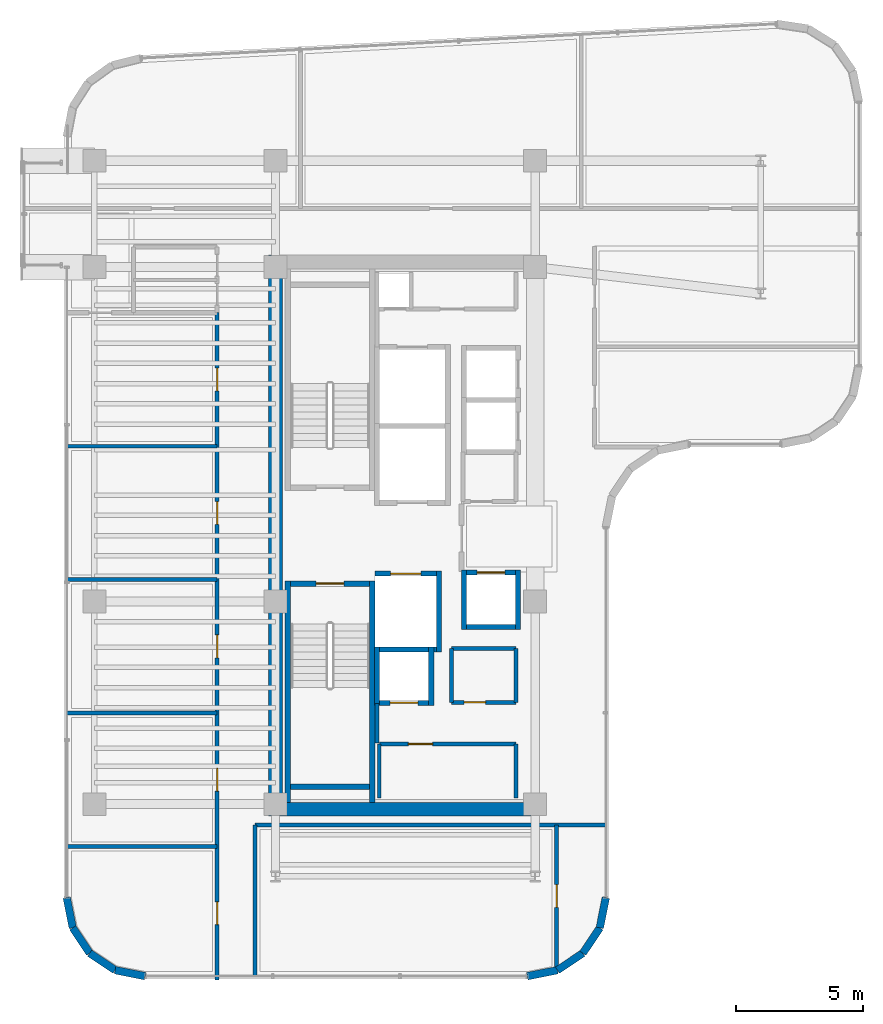
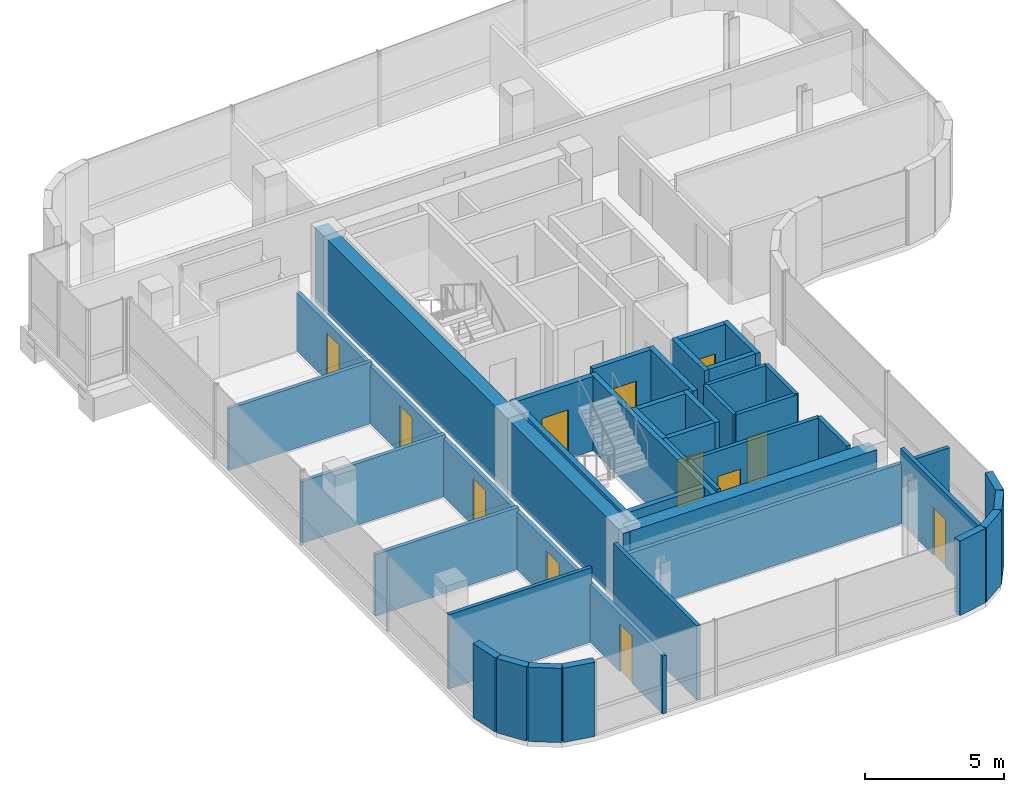
# One storey, part 17 of 21: 40 walls, 12 doors, 12 openings.
"""IFC4 building model written with IfcOpenShell, lengths in metres."""

import ifcopenshell
import ifcopenshell.guid

model = None  # the IFC model being written
_history = None  # IfcOwnerHistory: only IFC2X3 demands one
_inside = {}  # id of a spatial element -> (the spatial element, [elements in it])
_under = {}  # id of a project, library or spatial element -> (it, [spatial elements below it])
_declared = {}  # id of a project -> (the project, [libraries it declares])
_typed = {}  # id of a type object -> (the type object, [elements of that type])
_made_of = {}  # id of a material, layer set ... -> (it, [elements and type objects made of it])


def new_model(schema):
    """Start an empty IFC model of exactly this schema.

    Asked for "IFC4X3", IfcOpenShell would pick the latest addendum, in which some entities
    have other attributes; the version numbers below select the first issue.
    IFC2X3 requires an IfcOwnerHistory on every rooted entity: one is made here for all.
    """
    global model, _history
    if schema == "IFC4X3":
        model = ifcopenshell.file(schema_version=(4, 3, 0, 0))
    else:
        model = ifcopenshell.file(schema=schema)
    _inside.clear()
    _under.clear()
    _declared.clear()
    _typed.clear()
    _made_of.clear()
    _history = None
    if model.schema == "IFC2X3":
        org = make("IfcOrganization", Name="unknown")
        user = make(
            "IfcPersonAndOrganization",
            ThePerson=make("IfcPerson", FamilyName="unknown"),
            TheOrganization=org,
        )
        app = make(
            "IfcApplication",
            ApplicationDeveloper=org,
            Version="unknown",
            ApplicationFullName="unknown",
            ApplicationIdentifier="unknown",
        )
        _history = make(
            "IfcOwnerHistory",
            OwningUser=user,
            OwningApplication=app,
            ChangeAction="ADDED",
            CreationDate=0,
        )
    return model


def make(cls, **values):
    """One entity of the class cls with the attributes given. An attribute that is None is left unset."""
    return model.create_entity(
        cls, **{name: value for name, value in values.items() if value is not None}
    )


def rooted(cls, **values):
    """An entity with a GlobalId (a new one), such as an element, a storey or a relation."""
    return make(cls, GlobalId=ifcopenshell.guid.new(), OwnerHistory=_history, **values)


def si_unit(unit_type, name, prefix=None):
    """IfcSIUnit, for example si_unit("LENGTHUNIT", "METRE", prefix="MILLI")."""
    return make("IfcSIUnit", UnitType=unit_type, Prefix=prefix, Name=name)


def assignment(units):
    """IfcUnitAssignment: the units of a project."""
    return None if units is None else make("IfcUnitAssignment", Units=units)


def point(xyz):
    """IfcCartesianPoint."""
    return None if xyz is None else make("IfcCartesianPoint", Coordinates=xyz)


def direction(xyz):
    """IfcDirection."""
    return None if xyz is None else make("IfcDirection", DirectionRatios=xyz)


def frame(location, z_axis=None, x_axis=None):
    """IfcAxis2Placement3D, a coordinate frame: its origin and axes. An axis left out is left unset."""
    return make(
        "IfcAxis2Placement3D",
        Location=point(location),
        Axis=direction(z_axis),
        RefDirection=direction(x_axis),
    )


def frame_2d(location, x_axis=None):
    """IfcAxis2Placement2D, a coordinate frame in the plane: its origin and x axis."""
    return make(
        "IfcAxis2Placement2D", Location=point(location), RefDirection=direction(x_axis)
    )


def origin():
    """The frame at (0, 0, 0) with its axes left unset."""
    return frame((0.0, 0.0, 0.0))


def place(relative_to, where):
    """IfcLocalPlacement: puts the frame where relative to a parent placement (None: the world)."""
    return make(
        "IfcLocalPlacement", PlacementRelTo=relative_to, RelativePlacement=where
    )


def context(
    kind, dimensions, precision=None, world=None, true_north=None, identifier=None
):
    """IfcGeometricRepresentationContext, for example the 3D "Model" context."""
    return make(
        "IfcGeometricRepresentationContext",
        ContextIdentifier=identifier,
        ContextType=kind,
        CoordinateSpaceDimension=dimensions,
        Precision=precision,
        WorldCoordinateSystem=world,
        TrueNorth=true_north,
    )


def subcontext(parent, identifier, kind, view, scale=None):
    """IfcGeometricRepresentationSubContext, for example "Body" below "Model"."""
    return make(
        "IfcGeometricRepresentationSubContext",
        ContextIdentifier=identifier,
        ContextType=kind,
        ParentContext=parent,
        TargetScale=scale,
        TargetView=view,
    )


def project(units=None, contexts=None):
    """IfcProject with its units and contexts."""
    return rooted(
        "IfcProject",
        Name="project",
        RepresentationContexts=contexts,
        UnitsInContext=assignment(units),
    )


def spatial(cls, under=None, at=None, **own):
    """A site, building, storey or space (cls), placed at a placement, below another one or the project."""
    s = rooted(cls, ObjectPlacement=at, **own)
    if under is not None:
        _under.setdefault(under.id(), (under, []))[1].append(s)
    return s


def profile(cls, at=None, kind="AREA", **sizes):
    """A parametric profile (cls). Its sizes go by their IFC names, for example OverallWidth=200.0."""
    return make(cls, ProfileType=kind, Position=at, **sizes)


def rectangle(**sizes):
    """IfcRectangleProfileDef."""
    return profile("IfcRectangleProfileDef", **sizes)


def extrude(swept, where, along, depth):
    """IfcExtrudedAreaSolid: the profile swept, set in the frame where, extruded along a direction by depth."""
    return make(
        "IfcExtrudedAreaSolid",
        SweptArea=swept,
        Position=where,
        ExtrudedDirection=direction(along),
        Depth=depth,
    )


def shape(context_of_items, identifier, shape_type, items):
    """IfcShapeRepresentation: the items that make up one representation, for example the "Body"."""
    return make(
        "IfcShapeRepresentation",
        ContextOfItems=context_of_items,
        RepresentationIdentifier=identifier,
        RepresentationType=shape_type,
        Items=items,
    )


def material(Name=None, Category=None):
    """IfcMaterial."""
    return make("IfcMaterial", Name=Name, Category=Category)


def layer(
    of_material, thickness, ventilated=None, Name=None, Category=None, Priority=None
):
    """IfcMaterialLayer: one layer of a wall or slab, of a material (None: an air gap)."""
    return make(
        "IfcMaterialLayer",
        Material=of_material,
        LayerThickness=thickness,
        IsVentilated=ventilated,
        Name=Name,
        Category=Category,
        Priority=Priority,
    )


def layer_set(layers, Name=None):
    """IfcMaterialLayerSet."""
    return make("IfcMaterialLayerSet", MaterialLayers=layers, LayerSetName=Name)


def made_of(thing, what):
    """Note that an element or type object is made of a material, layer set ...; save() writes the relation."""
    if what is not None:
        _made_of.setdefault(what.id(), (what, []))[1].append(thing)
    return thing


def type_object(cls, material=None, **own):
    """A type object (cls), such as IfcWallType, which elements share."""
    return made_of(rooted(cls, **own), material)


def element(
    cls,
    number,
    at=None,
    inside=None,
    cuts=None,
    type_object=None,
    material=None,
    context=None,
    identifier="Body",
    shape_type=None,
    held_by="IfcProductDefinitionShape",
    body=None,
    shapes=None,
    **own,
):
    """One element of the class cls, such as IfcWall. Its Tag is "e" and its number.

    at: its placement. inside: the storey or other place that contains it. cuts: it is an
    opening in that element (IfcRelVoidsElement). A single representation is given by context,
    identifier, shape_type and body (its items); several are given by shapes. held_by: the class
    of the entity that holds the representations. save() writes the other relations.
    """
    e = rooted(cls, Tag="e%d" % number, ObjectPlacement=at, **own)
    if body is not None:
        shapes = [shape(context, identifier, shape_type, body)]
    if shapes is not None:
        e.Representation = make(held_by, Representations=shapes)
    if inside is not None:
        _inside.setdefault(inside.id(), (inside, []))[1].append(e)
    if cuts is not None:
        rooted(
            "IfcRelVoidsElement", RelatingBuildingElement=cuts, RelatedOpeningElement=e
        )
    if type_object is not None:
        _typed.setdefault(type_object.id(), (type_object, []))[1].append(e)
    return made_of(e, material)


def fill(opening, filler):
    """IfcRelFillsElement: the door or window that sits in an opening."""
    return rooted(
        "IfcRelFillsElement",
        RelatingOpeningElement=opening,
        RelatedBuildingElement=filler,
    )


def aggregate(whole, parts):
    """IfcRelAggregates: a whole, such as a stair, and the parts it consists of."""
    return rooted("IfcRelAggregates", RelatingObject=whole, RelatedObjects=parts)


def save(model, path):
    """Write the relations noted so far, then the file.

    IfcRelAggregates (storeys below a building ...), IfcRelContainedInSpatialStructure (elements
    in a storey), IfcRelDefinesByType, IfcRelAssociatesMaterial and IfcRelDeclares: one each for
    every whole, place, type object, material and project.
    """
    for whole, parts in _under.values():
        aggregate(whole, parts)
    for where, things in _inside.values():
        rooted(
            "IfcRelContainedInSpatialStructure",
            RelatedElements=things,
            RelatingStructure=where,
        )
    for kind, things in _typed.values():
        rooted("IfcRelDefinesByType", RelatedObjects=things, RelatingType=kind)
    for what, things in _made_of.values():
        rooted("IfcRelAssociatesMaterial", RelatedObjects=things, RelatingMaterial=what)
    for by, libraries in _declared.values():
        rooted("IfcRelDeclares", RelatingContext=by, RelatedDefinitions=libraries)
    model.write(path)


model = new_model("IFC4")

# Units and contexts
model_context = context("Model", 3, precision=1e-05, world=origin(), true_north=direction((0.0, 1.0)))
body_context = subcontext(model_context, "Body", "Model", "MODEL_VIEW")
ifc_project = project(units=[si_unit("LENGTHUNIT", "METRE"), si_unit("AREAUNIT", "SQUARE_METRE"), si_unit("VOLUMEUNIT", "CUBIC_METRE"), si_unit("PLANEANGLEUNIT", "RADIAN"), si_unit("MASSUNIT", "GRAM", prefix="KILO")], contexts=[model_context])

# Site, building, storey
site_placement = place(None, origin())
site = spatial("IfcSite", under=ifc_project, at=site_placement, CompositionType="ELEMENT")
building_placement = place(site_placement, origin())
building = spatial("IfcBuilding", under=site, at=building_placement, Name="Valdorenza Pilgrim Sanctuary Tower", CompositionType="ELEMENT")
storey_placement = place(building_placement, frame((0.0, 0.0, 219.5)))
storey = spatial("IfcBuildingStorey", under=building, at=storey_placement, Name="L56", CompositionType="ELEMENT", Elevation=219.5)

# Wall
ifc_material_1 = material(Name="Acoustic twin-stud gypsum partition", Category="gypsum")
ifc_layer_1 = layer(ifc_material_1, 0.159912109375, Name="Acoustic twin-stud gypsum partition")
ifc_layer_set_1 = layer_set([ifc_layer_1], Name="Acoustic twin-stud gypsum partition")
wall_type_1 = type_object("IfcWallType", Name="WAL-COR-160", PredefinedType="PARTITIONING", material=ifc_layer_set_1)
wall_1_placement = place(storey_placement, frame((-18.64990234375, -8.179931640625, 0.0), z_axis=(0.0, 0.0, 1.0), x_axis=(0.0, 1.0, 0.0)))
element("IfcWall", 1, at=wall_1_placement, inside=storey, type_object=wall_type_1, Name="L56 Core A South Lift Hall West Wall", PredefinedType="PARTITIONING", context=body_context, shape_type="SweptSolid", body=[
    extrude(rectangle(XDim=1.559814453125, YDim=0.159912109375, at=frame_2d((0.77978515625, 0.0))), origin(), (0.0, 0.0, 1.0), 3.260009765625),
])

# Wall, opening, door
wall_2_placement = place(storey_placement, frame((-18.550048828125, -8.219970703125, 0.0), z_axis=(0.0, 0.0, 1.0), x_axis=(1.0, 0.0, 0.0)))
wall_2 = element("IfcWall", 2, at=wall_2_placement, inside=storey, type_object=wall_type_1, Name="L56 Freed Shaft 1 North Wall", PredefinedType="PARTITIONING", context=body_context, shape_type="SweptSolid", body=[
    extrude(rectangle(XDim=5.400146484375, YDim=0.159912109375, at=frame_2d((2.7001953125, 0.0))), origin(), (0.0, 0.0, 1.0), 3.260009765625),
])
opening_1_placement = place(wall_2_placement, frame((1.14990234375, 0.0, 0.0)))
opening_1 = element("IfcOpeningElement", 3, at=opening_1_placement, cuts=wall_2, Name="Opening DR-UN1", PredefinedType="OPENING", context=body_context, shape_type="SweptSolid", body=[
    extrude(rectangle(XDim=0.949951171875, YDim=2.14990234375, at=frame_2d((0.47509765625, 1.074951171875))), frame((0.0, 0.0947265625, 0.0), z_axis=(0.0, -1.0, 0.0), x_axis=(1.0, 0.0, 0.0)), (0.0, 0.0, 1.0), 0.189697265625),
])
ifc_material_2 = material(Name="Solid-core European oak timber", Category="wood")
door_type_1 = type_object("IfcDoorType", Name="DR-UNIT-950", OperationType="NOTDEFINED", PredefinedType="DOOR", material=ifc_material_2)
door_1_placement = place(opening_1_placement, origin())
door_1 = element("IfcDoor", 4, at=door_1_placement, inside=storey, type_object=door_type_1, Name="L56 Back-of-House Linen Store Door", OperationType="SINGLE_SWING_LEFT", OverallHeight=2.14990234375, OverallWidth=0.949951171875, PredefinedType="DOOR", context=body_context, shape_type="SweptSolid", body=[
    extrude(rectangle(XDim=0.949951171875, YDim=2.14990234375, at=frame_2d((0.47509765625, 1.074951171875))), frame((0.0, 0.02490234375, 0.0), z_axis=(0.0, -1.0, 0.0), x_axis=(1.0, 0.0, 0.0)), (0.0, 0.0, 1.0), 0.050048828125),
])
fill(opening_1, door_1)

# Wall
wall_3_placement = place(storey_placement, frame((-13.14990234375, -10.35009765625, 0.0), z_axis=(0.0, 0.0, 1.0), x_axis=(0.0, 1.0, 0.0)))
element("IfcWall", 5, at=wall_3_placement, inside=storey, type_object=wall_type_1, Name="L56 Freed Shaft 1 East Wall", PredefinedType="PARTITIONING", context=body_context, shape_type="SweptSolid", body=[
    extrude(rectangle(XDim=2.130126953125, YDim=0.159912109375, at=frame_2d((1.06494140625, 0.0))), origin(), (0.0, 0.0, 1.0), 3.260009765625),
])

# Wall, opening, door
wall_4_placement = place(storey_placement, frame((-15.699951171875, -6.580078125, 0.0), z_axis=(0.0, 0.0, 1.0), x_axis=(1.0, 0.0, 0.0)))
wall_4 = element("IfcWall", 6, at=wall_4_placement, inside=storey, type_object=wall_type_1, Name="L56 Freed Shaft 2 South Wall", PredefinedType="PARTITIONING", context=body_context, shape_type="SweptSolid", body=[
    extrude(rectangle(XDim=2.550048828125, YDim=0.159912109375, at=frame_2d((1.27490234375, 0.0))), origin(), (0.0, 0.0, 1.0), 3.260009765625),
])
opening_2_placement = place(wall_4_placement, frame((0.5, 0.0, 0.0)))
opening_2 = element("IfcOpeningElement", 7, at=opening_2_placement, cuts=wall_4, Name="Opening DR-RS1", PredefinedType="OPENING", context=body_context, shape_type="SweptSolid", body=[
    extrude(rectangle(XDim=0.85009765625, YDim=2.050048828125, at=frame_2d((0.425048828125, 1.02490234375))), frame((0.0, 0.0947265625, 0.0), z_axis=(0.0, -1.0, 0.0), x_axis=(1.0, 0.0, 0.0)), (0.0, 0.0, 1.0), 0.189697265625),
])
ifc_material_3 = material(Name="Painted galvanized steel", Category="steel")
door_type_2 = type_object("IfcDoorType", Name="DR-RSR-850", OperationType="NOTDEFINED", PredefinedType="DOOR", material=ifc_material_3)
door_2_placement = place(opening_2_placement, origin())
door_2 = element("IfcDoor", 8, at=door_2_placement, inside=storey, type_object=door_type_2, Name="L56 Guest Tea Pantry Door", OperationType="SINGLE_SWING_RIGHT", OverallHeight=2.050048828125, OverallWidth=0.85009765625, PredefinedType="DOOR", context=body_context, shape_type="SweptSolid", body=[
    extrude(rectangle(XDim=0.85009765625, YDim=2.050048828125, at=frame_2d((0.425048828125, 1.02490234375))), frame((0.0, 0.02490234375, 0.0), z_axis=(0.0, -1.0, 0.0), x_axis=(1.0, 0.0, 0.0)), (0.0, 0.0, 1.0), 0.050048828125),
])
fill(opening_2, door_2)

# Walls
wall_5_placement = place(storey_placement, frame((-13.14990234375, -6.580078125, 0.0), z_axis=(0.0, 0.0, 1.0), x_axis=(0.0, 1.0, 0.0)))
element("IfcWall", 9, at=wall_5_placement, inside=storey, type_object=wall_type_1, Name="L56 Freed Shaft 2 East Wall", PredefinedType="PARTITIONING", context=body_context, shape_type="SweptSolid", body=[
    extrude(rectangle(XDim=2.130126953125, YDim=0.159912109375, at=frame_2d((1.06494140625, 0.0))), origin(), (0.0, 0.0, 1.0), 3.260009765625),
])
wall_6_placement = place(storey_placement, frame((-23.449951171875, -11.419921875, 0.0), z_axis=(0.0, 0.0, 1.0), x_axis=(1.0, 0.0, 0.0)))
element("IfcWall", 10, at=wall_6_placement, inside=storey, type_object=wall_type_1, Name="L56 South-East Pocket North Wall", PredefinedType="PARTITIONING", context=body_context, shape_type="SweptSolid", body=[
    extrude(rectangle(XDim=13.83984375, YDim=0.159912109375, at=frame_2d((6.919921875, 0.0))), origin(), (0.0, 0.0, 1.0), 2.634033203125),
])
wall_7_placement = place(storey_placement, frame((-23.449951171875, -17.389892578125, 0.0), z_axis=(0.0, 0.0, 1.0), x_axis=(0.0, 1.0, 0.0)))
element("IfcWall", 11, at=wall_7_placement, inside=storey, type_object=wall_type_1, Name="L56 South-East Pocket West Wall", PredefinedType="PARTITIONING", context=body_context, shape_type="SweptSolid", body=[
    extrude(rectangle(XDim=5.969970703125, YDim=0.159912109375, at=frame_2d((2.98486328125, 0.0))), origin(), (0.0, 0.0, 1.0), 3.260009765625),
])

# Wall, openings, doors
wall_8_placement = place(storey_placement, frame((-24.949951171875, -17.5400390625, 0.0), z_axis=(0.0, 0.0, 1.0), x_axis=(0.0, 1.0, 0.0)))
wall_8 = element("IfcWall", 12, at=wall_8_placement, inside=storey, type_object=wall_type_1, Name="L56 West Wing Corridor Wall", PredefinedType="PARTITIONING", context=body_context, shape_type="SweptSolid", body=[
    extrude(rectangle(XDim=26.340087890625, YDim=0.159912109375, at=frame_2d((13.169921875, 0.0))), origin(), (0.0, 0.0, 1.0), 2.5439453125),
])
opening_3_placement = place(wall_8_placement, frame((2.18408203125, 0.0, 0.0)))
opening_3 = element("IfcOpeningElement", 13, at=opening_3_placement, cuts=wall_8, Name="Opening DR-RM1", PredefinedType="OPENING", context=body_context, shape_type="SweptSolid", body=[
    extrude(rectangle(XDim=0.89990234375, YDim=2.10009765625, at=frame_2d((0.449951171875, 1.050048828125))), frame((0.0, 0.0947265625, 0.0), z_axis=(0.0, -1.0, 0.0), x_axis=(1.0, 0.0, 0.0)), (0.0, 0.0, 1.0), 0.189697265625),
])
opening_4_placement = place(wall_8_placement, frame((7.451904296875, 0.0, 0.0)))
opening_4 = element("IfcOpeningElement", 14, at=opening_4_placement, cuts=wall_8, Name="Opening DR-RM1", PredefinedType="OPENING", context=body_context, shape_type="SweptSolid", body=[
    extrude(rectangle(XDim=0.89990234375, YDim=2.10009765625, at=frame_2d((0.449951171875, 1.050048828125))), frame((0.0, 0.0947265625, 0.0), z_axis=(0.0, -1.0, 0.0), x_axis=(1.0, 0.0, 0.0)), (0.0, 0.0, 1.0), 0.189697265625),
])
opening_5_placement = place(wall_8_placement, frame((12.719970703125, 0.0, 0.0)))
opening_5 = element("IfcOpeningElement", 15, at=opening_5_placement, cuts=wall_8, Name="Opening DR-RM1", PredefinedType="OPENING", context=body_context, shape_type="SweptSolid", body=[
    extrude(rectangle(XDim=0.89990234375, YDim=2.10009765625, at=frame_2d((0.449951171875, 1.050048828125))), frame((0.0, 0.0947265625, 0.0), z_axis=(0.0, -1.0, 0.0), x_axis=(1.0, 0.0, 0.0)), (0.0, 0.0, 1.0), 0.189697265625),
])
opening_6_placement = place(wall_8_placement, frame((17.988037109375, 0.0, 0.0)))
opening_6 = element("IfcOpeningElement", 16, at=opening_6_placement, cuts=wall_8, Name="Opening DR-RM1", PredefinedType="OPENING", context=body_context, shape_type="SweptSolid", body=[
    extrude(rectangle(XDim=0.89990234375, YDim=2.10009765625, at=frame_2d((0.449951171875, 1.050048828125))), frame((0.0, 0.0947265625, 0.0), z_axis=(0.0, -1.0, 0.0), x_axis=(1.0, 0.0, 0.0)), (0.0, 0.0, 1.0), 0.189697265625),
])
opening_7_placement = place(wall_8_placement, frame((23.256103515625, 0.0, 0.0)))
opening_7 = element("IfcOpeningElement", 17, at=opening_7_placement, cuts=wall_8, Name="Opening DR-RM1", PredefinedType="OPENING", context=body_context, shape_type="SweptSolid", body=[
    extrude(rectangle(XDim=0.89990234375, YDim=2.10009765625, at=frame_2d((0.449951171875, 1.050048828125))), frame((0.0, 0.0947265625, 0.0), z_axis=(0.0, -1.0, 0.0), x_axis=(1.0, 0.0, 0.0)), (0.0, 0.0, 1.0), 0.189697265625),
])
door_type_3 = type_object("IfcDoorType", Name="DR-ROOM-900", OperationType="NOTDEFINED", PredefinedType="DOOR", material=ifc_material_2)
door_3_placement = place(opening_3_placement, frame((0.89990234375, 0.0, 0.0), z_axis=(0.0, 0.0, 1.0), x_axis=(-1.0, 0.0, 0.0)))
door_3 = element("IfcDoor", 18, at=door_3_placement, inside=storey, type_object=door_type_3, Name="L56 Pilgrim Scholar Office L56-W1 Door", OperationType="SINGLE_SWING_LEFT", OverallHeight=2.10009765625, OverallWidth=0.89990234375, PredefinedType="DOOR", context=body_context, shape_type="SweptSolid", body=[
    extrude(rectangle(XDim=0.89990234375, YDim=2.10009765625, at=frame_2d((0.449951171875, 1.050048828125))), frame((0.0, 0.02490234375, 0.0), z_axis=(0.0, -1.0, 0.0), x_axis=(1.0, 0.0, 0.0)), (0.0, 0.0, 1.0), 0.050048828125),
])
fill(opening_3, door_3)
door_4_placement = place(opening_4_placement, origin())
door_4 = element("IfcDoor", 19, at=door_4_placement, inside=storey, type_object=door_type_3, Name="L56 Pilgrim Scholar Office L56-W2 Door", OperationType="SINGLE_SWING_RIGHT", OverallHeight=2.10009765625, OverallWidth=0.89990234375, PredefinedType="DOOR", context=body_context, shape_type="SweptSolid", body=[
    extrude(rectangle(XDim=0.89990234375, YDim=2.10009765625, at=frame_2d((0.449951171875, 1.050048828125))), frame((0.0, 0.02490234375, 0.0), z_axis=(0.0, -1.0, 0.0), x_axis=(1.0, 0.0, 0.0)), (0.0, 0.0, 1.0), 0.050048828125),
])
fill(opening_4, door_4)
door_5_placement = place(opening_5_placement, frame((0.89990234375, 0.0, 0.0), z_axis=(0.0, 0.0, 1.0), x_axis=(-1.0, 0.0, 0.0)))
door_5 = element("IfcDoor", 20, at=door_5_placement, inside=storey, type_object=door_type_3, Name="L56 Pilgrim Scholar Office L56-W3 Door", OperationType="SINGLE_SWING_LEFT", OverallHeight=2.10009765625, OverallWidth=0.89990234375, PredefinedType="DOOR", context=body_context, shape_type="SweptSolid", body=[
    extrude(rectangle(XDim=0.89990234375, YDim=2.10009765625, at=frame_2d((0.449951171875, 1.050048828125))), frame((0.0, 0.02490234375, 0.0), z_axis=(0.0, -1.0, 0.0), x_axis=(1.0, 0.0, 0.0)), (0.0, 0.0, 1.0), 0.050048828125),
])
fill(opening_5, door_5)
door_6_placement = place(opening_6_placement, origin())
door_6 = element("IfcDoor", 21, at=door_6_placement, inside=storey, type_object=door_type_3, Name="L56 Pilgrim Scholar Office L56-W4 Door", OperationType="SINGLE_SWING_RIGHT", OverallHeight=2.10009765625, OverallWidth=0.89990234375, PredefinedType="DOOR", context=body_context, shape_type="SweptSolid", body=[
    extrude(rectangle(XDim=0.89990234375, YDim=2.10009765625, at=frame_2d((0.449951171875, 1.050048828125))), frame((0.0, 0.02490234375, 0.0), z_axis=(0.0, -1.0, 0.0), x_axis=(1.0, 0.0, 0.0)), (0.0, 0.0, 1.0), 0.050048828125),
])
fill(opening_6, door_6)
door_7_placement = place(opening_7_placement, frame((0.89990234375, 0.0, 0.0), z_axis=(0.0, 0.0, 1.0), x_axis=(-1.0, 0.0, 0.0)))
door_7 = element("IfcDoor", 22, at=door_7_placement, inside=storey, type_object=door_type_3, Name="L56 Pilgrim Scholar Office L56-W5 Door", OperationType="SINGLE_SWING_LEFT", OverallHeight=2.10009765625, OverallWidth=0.89990234375, PredefinedType="DOOR", context=body_context, shape_type="SweptSolid", body=[
    extrude(rectangle(XDim=0.89990234375, YDim=2.10009765625, at=frame_2d((0.449951171875, 1.050048828125))), frame((0.0, 0.02490234375, 0.0), z_axis=(0.0, -1.0, 0.0), x_axis=(1.0, 0.0, 0.0)), (0.0, 0.0, 1.0), 0.050048828125),
])
fill(opening_7, door_7)

# Wall, opening, door
wall_9_placement = place(storey_placement, frame((-11.550048828125, -17.023681640625, 0.0), z_axis=(0.0, 0.0, 1.0), x_axis=(0.0, 1.0, 0.0)))
wall_9 = element("IfcWall", 23, at=wall_9_placement, inside=storey, type_object=wall_type_1, Name="L56 South-East Concourse Wall", PredefinedType="PARTITIONING", context=body_context, shape_type="SweptSolid", body=[
    extrude(rectangle(XDim=5.603759765625, YDim=0.159912109375, at=frame_2d((2.8017578125, 0.0))), origin(), (0.0, 0.0, 1.0), 3.260009765625),
])
opening_8_placement = place(wall_9_placement, frame((2.35205078125, 0.0, 0.0)))
opening_8 = element("IfcOpeningElement", 24, at=opening_8_placement, cuts=wall_9, Name="Opening DR-RM1", PredefinedType="OPENING", context=body_context, shape_type="SweptSolid", body=[
    extrude(rectangle(XDim=0.89990234375, YDim=2.10009765625, at=frame_2d((0.449951171875, 1.050048828125))), frame((0.0, 0.0947265625, 0.0), z_axis=(0.0, -1.0, 0.0), x_axis=(1.0, 0.0, 0.0)), (0.0, 0.0, 1.0), 0.189697265625),
])
door_8_placement = place(opening_8_placement, origin())
door_8 = element("IfcDoor", 25, at=door_8_placement, inside=storey, type_object=door_type_3, Name="L56 South Contemplation Lounge L56 Door", OperationType="SINGLE_SWING_RIGHT", OverallHeight=2.10009765625, OverallWidth=0.89990234375, PredefinedType="DOOR", context=body_context, shape_type="SweptSolid", body=[
    extrude(rectangle(XDim=0.89990234375, YDim=2.10009765625, at=frame_2d((0.449951171875, 1.050048828125))), frame((0.0, 0.02490234375, 0.0), z_axis=(0.0, -1.0, 0.0), x_axis=(1.0, 0.0, 0.0)), (0.0, 0.0, 1.0), 0.050048828125),
])
fill(opening_8, door_8)

# Walls
ifc_material_4 = material(Name="Concrete C50/60", Category="concrete")
ifc_layer_2 = layer(ifc_material_4, 0.550048828125, Name="Concrete C50/60")
ifc_layer_set_2 = layer_set([ifc_layer_2], Name="Concrete C50/60")
wall_type_2 = type_object("IfcWallType", Name="WAL-COR-550", PredefinedType="SHEAR", material=ifc_layer_set_2)
wall_10_placement = place(storey_placement, frame((-22.64990234375, -11.074951171875, 0.0), z_axis=(0.0, 0.0, 1.0), x_axis=(0.0, 1.0, 0.0)))
element("IfcWall", 26, at=wall_10_placement, inside=storey, type_object=wall_type_2, Name="L56 Split Core A Shear Wall W", PredefinedType="SHEAR", context=body_context, shape_type="SweptSolid", body=[
    extrude(rectangle(XDim=22.14990234375, YDim=0.550048828125, at=frame_2d((11.074951171875, 0.0))), origin(), (0.0, 0.0, 1.0), 3.260009765625),
])
wall_11_placement = place(storey_placement, frame((-22.64990234375, -10.800048828125, 0.0), z_axis=(0.0, 0.0, 1.0), x_axis=(1.0, 0.0, 0.0)))
element("IfcWall", 27, at=wall_11_placement, inside=storey, type_object=wall_type_2, Name="L56 Split Core A Shear Wall S", PredefinedType="SHEAR", context=body_context, shape_type="SweptSolid", body=[
    extrude(rectangle(XDim=10.25, YDim=0.550048828125, at=frame_2d((5.125, 0.0))), origin(), (0.0, 0.0, 1.0), 3.260009765625),
])
ifc_material_5 = material(Name="Honed travertine limestone", Category="masonry")
ifc_layer_3 = layer(ifc_material_5, 0.300048828125, Name="Honed travertine limestone")
ifc_layer_set_3 = layer_set([ifc_layer_3], Name="Honed travertine limestone")
wall_type_3 = type_object("IfcWallType", Name="WAL-EXT-300", PredefinedType="SOLIDWALL", material=ifc_layer_set_3)
wall_12_placement = place(storey_placement, frame((-9.610107421875, -14.289306640625, 0.0), z_axis=(0.0, 0.0, 1.0), x_axis=(-0.194996050505, -0.980804027463, 0.0)))
element("IfcWall", 28, at=wall_12_placement, inside=storey, type_object=wall_type_3, Name="L56 Rounded Wind-Corner Stone Pier 22", PredefinedType="SOLIDWALL", context=body_context, shape_type="SweptSolid", body=[
    extrude(rectangle(XDim=1.2158203125, YDim=0.300048828125, at=frame_2d((0.60791015625, 0.0))), origin(), (0.0, 0.0, 1.0), 3.260009765625),
])
for number, where, z_axis, x_axis, name in (
    (29, (-9.84716796875, -15.481689453125, 0.0), (0.0, 0.0, 1.0), (-0.555635100982, -0.831426265255, 0.0), "L56 Rounded Wind-Corner Stone Pier 23"),
    (30, (-10.5166015625, -16.4833984375, 0.0), (0.0, 0.0, 1.0), (-0.831426265255, -0.555635100982, 0.0), "L56 Rounded Wind-Corner Stone Pier 24"),
):
    element("IfcWall", number, at=place(storey_placement, frame(where, z_axis=z_axis, x_axis=x_axis)), inside=storey, type_object=wall_type_3, Name=name, PredefinedType="SOLIDWALL", context=body_context, shape_type="SweptSolid", body=[
        extrude(rectangle(XDim=1.204833984375, YDim=0.300048828125, at=frame_2d((0.6025390625, 0.0))), origin(), (0.0, 0.0, 1.0), 3.260009765625),
    ])
for number, where, z_axis, x_axis, name in (
    (31, (-11.518310546875, -17.15283203125, 0.0), (0.0, 0.0, 1.0), (-0.980804027463, -0.194996050505, 0.0), "L56 Rounded Wind-Corner Stone Pier 25"),
    (32, (-27.789306640625, -17.389892578125, 0.0), (0.0, 0.0, 1.0), (-0.980804027463, 0.194996050505, 0.0), "L56 Rounded Wind-Corner Stone Pier 27"),
):
    element("IfcWall", number, at=place(storey_placement, frame(where, z_axis=z_axis, x_axis=x_axis)), inside=storey, type_object=wall_type_3, Name=name, PredefinedType="SOLIDWALL", context=body_context, shape_type="SweptSolid", body=[
        extrude(rectangle(XDim=1.2158203125, YDim=0.300048828125, at=frame_2d((0.60791015625, 0.0))), origin(), (0.0, 0.0, 1.0), 3.260009765625),
    ])
for number, where, z_axis, x_axis, name in (
    (33, (-28.981689453125, -17.15283203125, 0.0), (0.0, 0.0, 1.0), (-0.831426265255, 0.555635100982, 0.0), "L56 Rounded Wind-Corner Stone Pier 28"),
    (34, (-29.9833984375, -16.4833984375, 0.0), (0.0, 0.0, 1.0), (-0.555635100982, 0.831426265255, 0.0), "L56 Rounded Wind-Corner Stone Pier 29"),
):
    element("IfcWall", number, at=place(storey_placement, frame(where, z_axis=z_axis, x_axis=x_axis)), inside=storey, type_object=wall_type_3, Name=name, PredefinedType="SOLIDWALL", context=body_context, shape_type="SweptSolid", body=[
        extrude(rectangle(XDim=1.204833984375, YDim=0.300048828125, at=frame_2d((0.6025390625, 0.0))), origin(), (0.0, 0.0, 1.0), 3.260009765625),
    ])
wall_13_placement = place(storey_placement, frame((-30.65283203125, -15.481689453125, 0.0), z_axis=(0.0, 0.0, 1.0), x_axis=(-0.194996050505, 0.980804027463, 0.0)))
element("IfcWall", 35, at=wall_13_placement, inside=storey, type_object=wall_type_3, Name="L56 Rounded Wind-Corner Stone Pier 30", PredefinedType="SOLIDWALL", context=body_context, shape_type="SweptSolid", body=[
    extrude(rectangle(XDim=1.2158203125, YDim=0.300048828125, at=frame_2d((0.60791015625, 0.0))), origin(), (0.0, 0.0, 1.0), 3.260009765625),
])
ifc_material_6 = material(Name="Autoclaved aerated concrete blockwork", Category="masonry")
ifc_layer_4 = layer(ifc_material_6, 0.199951171875, Name="Autoclaved aerated concrete blockwork")
ifc_layer_set_4 = layer_set([ifc_layer_4], Name="Autoclaved aerated concrete blockwork")
wall_type_4 = type_object("IfcWallType", Name="WAL-SHF-200", PredefinedType="MOVABLE", material=ifc_layer_set_4)
wall_14_placement = place(storey_placement, frame((-16.199951171875, -4.60009765625, 0.0), z_axis=(0.0, 0.0, 1.0), x_axis=(0.0, 1.0, 0.0)))
element("IfcWall", 36, at=wall_14_placement, inside=storey, type_object=wall_type_4, Name="L56 Lift FFL-02 Hoistway Wall East", PredefinedType="MOVABLE", context=body_context, shape_type="SweptSolid", body=[
    extrude(rectangle(XDim=3.2001953125, YDim=0.199951171875, at=frame_2d((1.60009765625, 0.0))), origin(), (0.0, 0.0, 1.0), 3.260009765625),
])
wall_15_placement = place(storey_placement, frame((-18.719970703125, -4.5, 0.0), z_axis=(0.0, 0.0, 1.0), x_axis=(1.0, 0.0, 0.0)))
element("IfcWall", 37, at=wall_15_placement, inside=storey, type_object=wall_type_4, Name="L56 Lift FFL-02 Hoistway Wall South", PredefinedType="MOVABLE", context=body_context, shape_type="SweptSolid", body=[
    extrude(rectangle(XDim=2.419921875, YDim=0.199951171875, at=frame_2d((1.2099609375, 0.0))), origin(), (0.0, 0.0, 1.0), 3.260009765625),
])

# Wall, opening, door
wall_16_placement = place(storey_placement, frame((-18.719970703125, -1.5, 0.0), z_axis=(0.0, 0.0, 1.0), x_axis=(1.0, 0.0, 0.0)))
wall_16 = element("IfcWall", 38, at=wall_16_placement, inside=storey, type_object=wall_type_4, Name="L56 Lift FFL-02 Hoistway Wall North", PredefinedType="MOVABLE", context=body_context, shape_type="SweptSolid", body=[
    extrude(rectangle(XDim=2.419921875, YDim=0.199951171875, at=frame_2d((1.2099609375, 0.0))), origin(), (0.0, 0.0, 1.0), 3.260009765625),
])
opening_9_placement = place(wall_16_placement, frame((0.610107421875, 0.0, 0.0)))
opening_9 = element("IfcOpeningElement", 39, at=opening_9_placement, cuts=wall_16, Name="Opening LD-02", PredefinedType="OPENING", context=body_context, shape_type="SweptSolid", body=[
    extrude(rectangle(XDim=1.199951171875, YDim=2.10009765625, at=frame_2d((0.60009765625, 1.050048828125))), frame((0.0, 0.11474609375, 0.0), z_axis=(0.0, -1.0, 0.0), x_axis=(1.0, 0.0, 0.0)), (0.0, 0.0, 1.0), 0.229736328125),
])
ifc_material_7 = material(Name="Brushed stainless steel Grade 316", Category="steel")
door_type_4 = type_object("IfcDoorType", Name="DR-LFT-1200", OperationType="DOUBLE_DOOR_SLIDING", PredefinedType="DOOR", material=ifc_material_7)
door_9_placement = place(opening_9_placement, origin())
door_9 = element("IfcDoor", 40, at=door_9_placement, inside=storey, type_object=door_type_4, Name="L56 Lift FFL-02 Sliding Landing Door", OperationType="DOUBLE_DOOR_SLIDING", OverallHeight=2.10009765625, OverallWidth=1.199951171875, PredefinedType="DOOR", context=body_context, shape_type="SweptSolid", body=[
    extrude(rectangle(XDim=1.199951171875, YDim=2.10009765625, at=frame_2d((0.60009765625, 1.050048828125))), frame((0.0, 0.02490234375, 0.0), z_axis=(0.0, -1.0, 0.0), x_axis=(1.0, 0.0, 0.0)), (0.0, 0.0, 1.0), 0.050048828125),
])
fill(opening_9, door_9)

# Walls
for number, where, z_axis, x_axis, name in (
    (41, (-18.64990234375, -6.699951171875, 0.0), (0.0, 0.0, 1.0), (0.0, 1.0, 0.0), "L56 Lift PL-11 Hoistway Wall West"),
    (42, (-16.5, -6.699951171875, 0.0), (0.0, 0.0, 1.0), (0.0, 1.0, 0.0), "L56 Lift PL-11 Hoistway Wall East"),
):
    element("IfcWall", number, at=place(storey_placement, frame(where, z_axis=z_axis, x_axis=x_axis)), inside=storey, type_object=wall_type_4, Name=name, PredefinedType="MOVABLE", context=body_context, shape_type="SweptSolid", body=[
        extrude(rectangle(XDim=2.300048828125, YDim=0.199951171875, at=frame_2d((1.14990234375, 0.0))), origin(), (0.0, 0.0, 1.0), 3.260009765625),
    ])

# Wall, opening, door
wall_17_placement = place(storey_placement, frame((-18.550048828125, -6.60009765625, 0.0), z_axis=(0.0, 0.0, 1.0), x_axis=(1.0, 0.0, 0.0)))
wall_17 = element("IfcWall", 43, at=wall_17_placement, inside=storey, type_object=wall_type_4, Name="L56 Lift PL-11 Hoistway Wall South", PredefinedType="MOVABLE", context=body_context, shape_type="SweptSolid", body=[
    extrude(rectangle(XDim=1.949951171875, YDim=0.199951171875, at=frame_2d((0.97509765625, 0.0))), origin(), (0.0, 0.0, 1.0), 3.260009765625),
])
opening_10_placement = place(wall_17_placement, frame((0.425048828125, 0.0, 0.0)))
opening_10 = element("IfcOpeningElement", 44, at=opening_10_placement, cuts=wall_17, Name="Opening LD-01", PredefinedType="OPENING", context=body_context, shape_type="SweptSolid", body=[
    extrude(rectangle(XDim=1.10009765625, YDim=2.10009765625, at=frame_2d((0.550048828125, 1.050048828125))), frame((0.0, 0.11474609375, 0.0), z_axis=(0.0, -1.0, 0.0), x_axis=(1.0, 0.0, 0.0)), (0.0, 0.0, 1.0), 0.229736328125),
])
door_type_5 = type_object("IfcDoorType", Name="DR-LFT-1100", OperationType="DOUBLE_DOOR_SLIDING", PredefinedType="DOOR", material=ifc_material_7)
door_10_placement = place(opening_10_placement, origin())
door_10 = element("IfcDoor", 45, at=door_10_placement, inside=storey, type_object=door_type_5, Name="L56 Lift PL-11 Sliding Landing Door", OperationType="DOUBLE_DOOR_SLIDING", OverallHeight=2.10009765625, OverallWidth=1.10009765625, PredefinedType="DOOR", context=body_context, shape_type="SweptSolid", body=[
    extrude(rectangle(XDim=1.10009765625, YDim=2.10009765625, at=frame_2d((0.550048828125, 1.050048828125))), frame((0.0, 0.02490234375, 0.0), z_axis=(0.0, -1.0, 0.0), x_axis=(1.0, 0.0, 0.0)), (0.0, 0.0, 1.0), 0.050048828125),
])
fill(opening_10, door_10)

# Walls
for number, where, z_axis, x_axis, name in (
    (46, (-15.199951171875, -3.699951171875, 0.0), (0.0, 0.0, 1.0), (0.0, 1.0, 0.0), "L56 Lift PL-12 Hoistway Wall West"),
    (47, (-13.080078125, -3.699951171875, 0.0), (0.0, 0.0, 1.0), (0.0, 1.0, 0.0), "L56 Lift PL-12 Hoistway Wall East"),
):
    element("IfcWall", number, at=place(storey_placement, frame(where, z_axis=z_axis, x_axis=x_axis)), inside=storey, type_object=wall_type_4, Name=name, PredefinedType="MOVABLE", context=body_context, shape_type="SweptSolid", body=[
        extrude(rectangle(XDim=2.349853515625, YDim=0.199951171875, at=frame_2d((1.1748046875, 0.0))), origin(), (0.0, 0.0, 1.0), 3.260009765625),
    ])
wall_18_placement = place(storey_placement, frame((-15.10009765625, -3.60009765625, 0.0), z_axis=(0.0, 0.0, 1.0), x_axis=(1.0, 0.0, 0.0)))
element("IfcWall", 48, at=wall_18_placement, inside=storey, type_object=wall_type_4, Name="L56 Lift PL-12 Hoistway Wall South", PredefinedType="MOVABLE", context=body_context, shape_type="SweptSolid", body=[
    extrude(rectangle(XDim=1.920166015625, YDim=0.199951171875, at=frame_2d((0.9599609375, 0.0))), origin(), (0.0, 0.0, 1.0), 3.260009765625),
])

# Wall, opening, door
wall_19_placement = place(storey_placement, frame((-15.10009765625, -1.449951171875, 0.0), z_axis=(0.0, 0.0, 1.0), x_axis=(1.0, 0.0, 0.0)))
wall_19 = element("IfcWall", 49, at=wall_19_placement, inside=storey, type_object=wall_type_4, Name="L56 Lift PL-12 Hoistway Wall North", PredefinedType="MOVABLE", context=body_context, shape_type="SweptSolid", body=[
    extrude(rectangle(XDim=1.920166015625, YDim=0.199951171875, at=frame_2d((0.9599609375, 0.0))), origin(), (0.0, 0.0, 1.0), 3.260009765625),
])
opening_11_placement = place(wall_19_placement, frame((0.409912109375, 0.0, 0.0)))
opening_11 = element("IfcOpeningElement", 50, at=opening_11_placement, cuts=wall_19, Name="Opening LD-01", PredefinedType="OPENING", context=body_context, shape_type="SweptSolid", body=[
    extrude(rectangle(XDim=1.10009765625, YDim=2.10009765625, at=frame_2d((0.550048828125, 1.050048828125))), frame((0.0, 0.11474609375, 0.0), z_axis=(0.0, -1.0, 0.0), x_axis=(1.0, 0.0, 0.0)), (0.0, 0.0, 1.0), 0.229736328125),
])
door_11_placement = place(opening_11_placement, origin())
door_11 = element("IfcDoor", 51, at=door_11_placement, inside=storey, type_object=door_type_5, Name="L56 Lift PL-12 Sliding Landing Door", OperationType="DOUBLE_DOOR_SLIDING", OverallHeight=2.10009765625, OverallWidth=1.10009765625, PredefinedType="DOOR", context=body_context, shape_type="SweptSolid", body=[
    extrude(rectangle(XDim=1.10009765625, YDim=2.10009765625, at=frame_2d((0.550048828125, 1.050048828125))), frame((0.0, 0.02490234375, 0.0), z_axis=(0.0, -1.0, 0.0), x_axis=(1.0, 0.0, 0.0)), (0.0, 0.0, 1.0), 0.050048828125),
])
fill(opening_11, door_11)

# Walls
ifc_material_8 = material(Name="Concrete C40/50", Category="concrete")
ifc_layer_5 = layer(ifc_material_8, 0.219970703125, Name="Concrete C40/50")
ifc_layer_set_5 = layer_set([ifc_layer_5], Name="Concrete C40/50")
wall_type_5 = type_object("IfcWallType", Name="WAL-STR-SHF-220", PredefinedType="SHEAR", material=ifc_layer_set_5)
for number, where, z_axis, x_axis, name in (
    (52, (-22.159912109375, -10.52490234375, 0.0), (0.0, 0.0, 1.0), (0.0, 1.0, 0.0), "L56 ST-A2 Structural Stairwell Wall W"),
    (53, (-18.830078125, -10.52490234375, 0.0), (0.0, 0.0, 1.0), (0.0, 1.0, 0.0), "L56 ST-A2 Structural Stairwell Wall E"),
):
    element("IfcWall", number, at=place(storey_placement, frame(where, z_axis=z_axis, x_axis=x_axis)), inside=storey, type_object=wall_type_5, Name=name, PredefinedType="SHEAR", context=body_context, shape_type="SweptSolid", body=[
        extrude(rectangle(XDim=8.744873046875, YDim=0.219970703125, at=frame_2d((4.37255859375, 0.0))), origin(), (0.0, 0.0, 1.0), 3.260009765625),
    ])
wall_20_placement = place(storey_placement, frame((-22.050048828125, -9.909912109375, 0.0), z_axis=(0.0, 0.0, 1.0), x_axis=(1.0, 0.0, 0.0)))
element("IfcWall", 54, at=wall_20_placement, inside=storey, type_object=wall_type_5, Name="L56 ST-A2 Structural Stairwell Wall S", PredefinedType="SHEAR", context=body_context, shape_type="SweptSolid", body=[
    extrude(rectangle(XDim=3.110107421875, YDim=0.219970703125, at=frame_2d((1.55517578125, 0.0))), origin(), (0.0, 0.0, 1.0), 3.260009765625),
])

# Wall, opening, door
wall_21_placement = place(storey_placement, frame((-22.050048828125, -1.889892578125, 0.0), z_axis=(0.0, 0.0, 1.0), x_axis=(1.0, 0.0, 0.0)))
wall_21 = element("IfcWall", 55, at=wall_21_placement, inside=storey, type_object=wall_type_5, Name="L56 ST-A2 Structural Stairwell Wall N", PredefinedType="SHEAR", context=body_context, shape_type="SweptSolid", body=[
    extrude(rectangle(XDim=3.110107421875, YDim=0.219970703125, at=frame_2d((1.55517578125, 0.0))), origin(), (0.0, 0.0, 1.0), 3.260009765625),
])
opening_12_placement = place(wall_21_placement, frame((1.0, 0.0, 0.0)))
opening_12 = element("IfcOpeningElement", 56, at=opening_12_placement, cuts=wall_21, Name="Opening DR-ST1", PredefinedType="OPENING", context=body_context, shape_type="SweptSolid", body=[
    extrude(rectangle(XDim=1.10009765625, YDim=2.14990234375, at=frame_2d((0.550048828125, 1.074951171875))), frame((0.0, 0.125, 0.0), z_axis=(0.0, -1.0, 0.0), x_axis=(1.0, 0.0, 0.0)), (0.0, 0.0, 1.0), 0.249755859375),
])
door_type_6 = type_object("IfcDoorType", Name="DR-STAIR-1100", OperationType="NOTDEFINED", PredefinedType="DOOR", material=ifc_material_3)
door_12_placement = place(opening_12_placement, origin())
door_12 = element("IfcDoor", 57, at=door_12_placement, inside=storey, type_object=door_type_6, Name="L56 Exit Stair ST-A2 Door", OperationType="SINGLE_SWING_RIGHT", OverallHeight=2.14990234375, OverallWidth=1.10009765625, PredefinedType="DOOR", context=body_context, shape_type="SweptSolid", body=[
    extrude(rectangle(XDim=1.10009765625, YDim=2.14990234375, at=frame_2d((0.550048828125, 1.074951171875))), frame((0.0, 0.02490234375, 0.0), z_axis=(0.0, -1.0, 0.0), x_axis=(1.0, 0.0, 0.0)), (0.0, 0.0, 1.0), 0.050048828125),
])
fill(opening_12, door_12)

# Walls
ifc_layer_6 = layer(ifc_material_1, 0.14990234375, Name="Acoustic twin-stud gypsum partition")
ifc_layer_set_6 = layer_set([ifc_layer_6], Name="Acoustic twin-stud gypsum partition")
wall_type_6 = type_object("IfcWallType", Name="WAL-UNT-150", PredefinedType="PARTITIONING", material=ifc_layer_set_6)
for number, where, z_axis, x_axis, name in (
    (58, (-18.550048828125, -10.35009765625, 0.0), (0.0, 0.0, 1.0), (0.0, 1.0, 0.0), "L56 Freed Shaft 1 West Wall"),
    (59, (-15.699951171875, -6.580078125, 0.0), (0.0, 0.0, 1.0), (0.0, 1.0, 0.0), "L56 Freed Shaft 2 West Wall"),
):
    element("IfcWall", number, at=place(storey_placement, frame(where, z_axis=z_axis, x_axis=x_axis)), inside=storey, type_object=wall_type_6, Name=name, PredefinedType="PARTITIONING", context=body_context, shape_type="SweptSolid", body=[
        extrude(rectangle(XDim=2.130126953125, YDim=0.14990234375, at=frame_2d((1.06494140625, 0.0))), origin(), (0.0, 0.0, 1.0), 3.260009765625),
    ])
wall_22_placement = place(storey_placement, frame((-15.699951171875, -4.449951171875, 0.0), z_axis=(0.0, 0.0, 1.0), x_axis=(1.0, 0.0, 0.0)))
element("IfcWall", 60, at=wall_22_placement, inside=storey, type_object=wall_type_6, Name="L56 Freed Shaft 2 North Wall", PredefinedType="PARTITIONING", context=body_context, shape_type="SweptSolid", body=[
    extrude(rectangle(XDim=2.550048828125, YDim=0.14990234375, at=frame_2d((1.27490234375, 0.0))), origin(), (0.0, 0.0, 1.0), 3.260009765625),
])
wall_23_placement = place(storey_placement, frame((-30.889892578125, -12.27197265625, 0.0), z_axis=(0.0, 0.0, 1.0), x_axis=(1.0, 0.0, 0.0)))
element("IfcWall", 61, at=wall_23_placement, inside=storey, type_object=wall_type_6, Name="L56 Pilgrim Scholar Office L56-W2 Demising Wall", PredefinedType="PARTITIONING", context=body_context, shape_type="SweptSolid", body=[
    extrude(rectangle(XDim=5.93994140625, YDim=0.14990234375, at=frame_2d((2.969970703125, 0.0))), origin(), (0.0, 0.0, 1.0), 3.260009765625),
])
for number, where, z_axis, x_axis, name in (
    (62, (-30.889892578125, -7.00390625, 0.0), (0.0, 0.0, 1.0), (1.0, 0.0, 0.0), "L56 Pilgrim Scholar Office L56-W3 Demising Wall"),
    (63, (-30.889892578125, -1.736083984375, 0.0), (0.0, 0.0, 1.0), (1.0, 0.0, 0.0), "L56 Pilgrim Scholar Office L56-W4 Demising Wall"),
    (64, (-30.889892578125, 3.531982421875, 0.0), (0.0, 0.0, 1.0), (1.0, 0.0, 0.0), "L56 Pilgrim Scholar Office L56-W5 Demising Wall"),
):
    element("IfcWall", number, at=place(storey_placement, frame(where, z_axis=z_axis, x_axis=x_axis)), inside=storey, type_object=wall_type_6, Name=name, PredefinedType="PARTITIONING", context=body_context, shape_type="SweptSolid", body=[
        extrude(rectangle(XDim=5.93994140625, YDim=0.14990234375, at=frame_2d((2.969970703125, 0.0))), origin(), (0.0, 0.0, 1.0), 2.7060546875),
    ])

save(model, "model.ifc")
